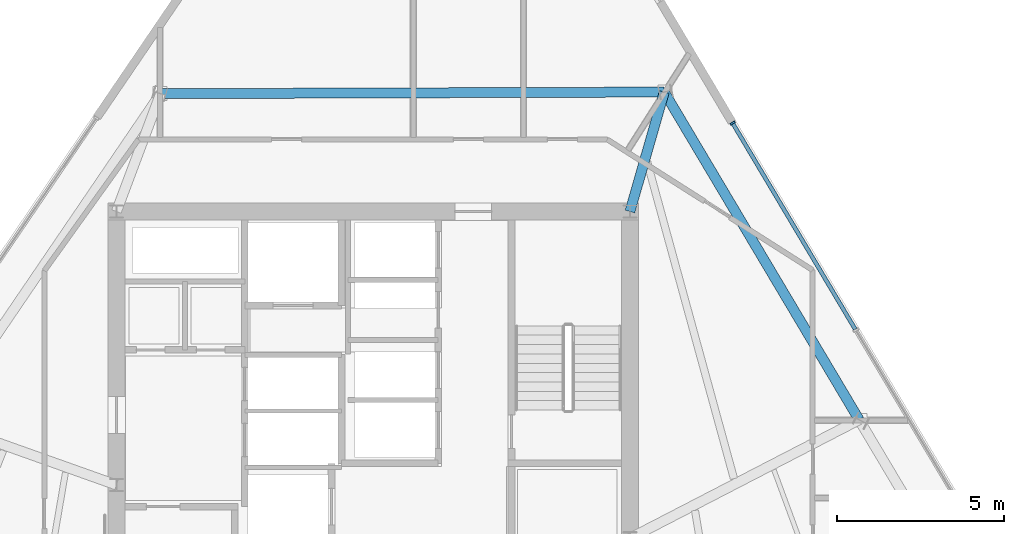
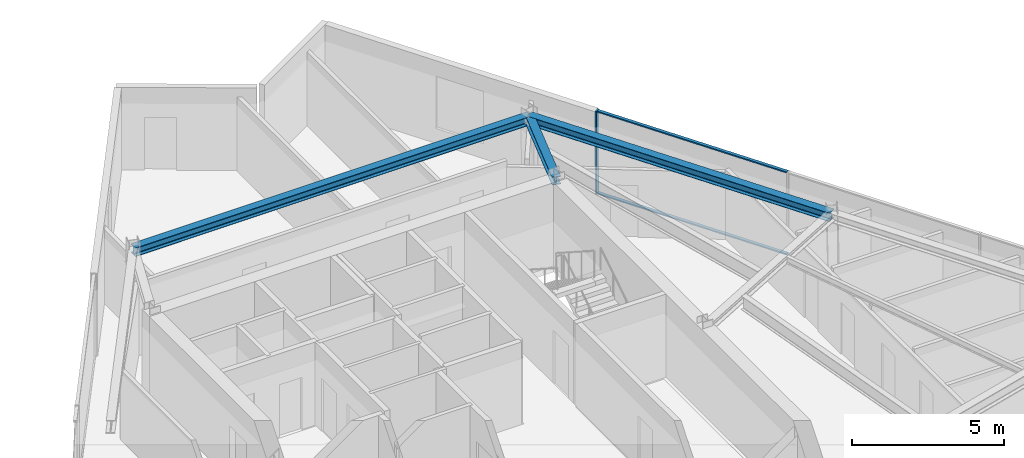
# One storey, part 6 of 15: 3 beams, 3 members, 1 element without a shape of its own.
"""IFC4 building model written with IfcOpenShell, lengths in metres."""

import ifcopenshell
import ifcopenshell.guid

model = None  # the IFC model being written
_history = None  # IfcOwnerHistory: only IFC2X3 demands one
_inside = {}  # id of a spatial element -> (the spatial element, [elements in it])
_under = {}  # id of a project, library or spatial element -> (it, [spatial elements below it])
_declared = {}  # id of a project -> (the project, [libraries it declares])
_typed = {}  # id of a type object -> (the type object, [elements of that type])
_made_of = {}  # id of a material, layer set ... -> (it, [elements and type objects made of it])


def new_model(schema):
    """Start an empty IFC model of exactly this schema.

    Asked for "IFC4X3", IfcOpenShell would pick the latest addendum, in which some entities
    have other attributes; the version numbers below select the first issue.
    IFC2X3 requires an IfcOwnerHistory on every rooted entity: one is made here for all.
    """
    global model, _history
    if schema == "IFC4X3":
        model = ifcopenshell.file(schema_version=(4, 3, 0, 0))
    else:
        model = ifcopenshell.file(schema=schema)
    _inside.clear()
    _under.clear()
    _declared.clear()
    _typed.clear()
    _made_of.clear()
    _history = None
    if model.schema == "IFC2X3":
        org = make("IfcOrganization", Name="unknown")
        user = make(
            "IfcPersonAndOrganization",
            ThePerson=make("IfcPerson", FamilyName="unknown"),
            TheOrganization=org,
        )
        app = make(
            "IfcApplication",
            ApplicationDeveloper=org,
            Version="unknown",
            ApplicationFullName="unknown",
            ApplicationIdentifier="unknown",
        )
        _history = make(
            "IfcOwnerHistory",
            OwningUser=user,
            OwningApplication=app,
            ChangeAction="ADDED",
            CreationDate=0,
        )
    return model


def make(cls, **values):
    """One entity of the class cls with the attributes given. An attribute that is None is left unset."""
    return model.create_entity(
        cls, **{name: value for name, value in values.items() if value is not None}
    )


def rooted(cls, **values):
    """An entity with a GlobalId (a new one), such as an element, a storey or a relation."""
    return make(cls, GlobalId=ifcopenshell.guid.new(), OwnerHistory=_history, **values)


def si_unit(unit_type, name, prefix=None):
    """IfcSIUnit, for example si_unit("LENGTHUNIT", "METRE", prefix="MILLI")."""
    return make("IfcSIUnit", UnitType=unit_type, Prefix=prefix, Name=name)


def assignment(units):
    """IfcUnitAssignment: the units of a project."""
    return None if units is None else make("IfcUnitAssignment", Units=units)


def point(xyz):
    """IfcCartesianPoint."""
    return None if xyz is None else make("IfcCartesianPoint", Coordinates=xyz)


def direction(xyz):
    """IfcDirection."""
    return None if xyz is None else make("IfcDirection", DirectionRatios=xyz)


def frame(location, z_axis=None, x_axis=None):
    """IfcAxis2Placement3D, a coordinate frame: its origin and axes. An axis left out is left unset."""
    return make(
        "IfcAxis2Placement3D",
        Location=point(location),
        Axis=direction(z_axis),
        RefDirection=direction(x_axis),
    )


def frame_2d(location, x_axis=None):
    """IfcAxis2Placement2D, a coordinate frame in the plane: its origin and x axis."""
    return make(
        "IfcAxis2Placement2D", Location=point(location), RefDirection=direction(x_axis)
    )


def origin():
    """The frame at (0, 0, 0) with its axes left unset."""
    return frame((0.0, 0.0, 0.0))


def origin_2d():
    """The frame at (0, 0) in the plane with its x axis left unset."""
    return frame_2d((0.0, 0.0))


def place(relative_to, where):
    """IfcLocalPlacement: puts the frame where relative to a parent placement (None: the world)."""
    return make(
        "IfcLocalPlacement", PlacementRelTo=relative_to, RelativePlacement=where
    )


def context(
    kind, dimensions, precision=None, world=None, true_north=None, identifier=None
):
    """IfcGeometricRepresentationContext, for example the 3D "Model" context."""
    return make(
        "IfcGeometricRepresentationContext",
        ContextIdentifier=identifier,
        ContextType=kind,
        CoordinateSpaceDimension=dimensions,
        Precision=precision,
        WorldCoordinateSystem=world,
        TrueNorth=true_north,
    )


def subcontext(parent, identifier, kind, view, scale=None):
    """IfcGeometricRepresentationSubContext, for example "Body" below "Model"."""
    return make(
        "IfcGeometricRepresentationSubContext",
        ContextIdentifier=identifier,
        ContextType=kind,
        ParentContext=parent,
        TargetScale=scale,
        TargetView=view,
    )


def project(units=None, contexts=None):
    """IfcProject with its units and contexts."""
    return rooted(
        "IfcProject",
        Name="project",
        RepresentationContexts=contexts,
        UnitsInContext=assignment(units),
    )


def spatial(cls, under=None, at=None, **own):
    """A site, building, storey or space (cls), placed at a placement, below another one or the project."""
    s = rooted(cls, ObjectPlacement=at, **own)
    if under is not None:
        _under.setdefault(under.id(), (under, []))[1].append(s)
    return s


def profile(cls, at=None, kind="AREA", **sizes):
    """A parametric profile (cls). Its sizes go by their IFC names, for example OverallWidth=200.0."""
    return make(cls, ProfileType=kind, Position=at, **sizes)


def rectangle(**sizes):
    """IfcRectangleProfileDef."""
    return profile("IfcRectangleProfileDef", **sizes)


def i_section(**sizes):
    """IfcIShapeProfileDef."""
    return profile("IfcIShapeProfileDef", **sizes)


def extrude(swept, where, along, depth):
    """IfcExtrudedAreaSolid: the profile swept, set in the frame where, extruded along a direction by depth."""
    return make(
        "IfcExtrudedAreaSolid",
        SweptArea=swept,
        Position=where,
        ExtrudedDirection=direction(along),
        Depth=depth,
    )


def shape(context_of_items, identifier, shape_type, items):
    """IfcShapeRepresentation: the items that make up one representation, for example the "Body"."""
    return make(
        "IfcShapeRepresentation",
        ContextOfItems=context_of_items,
        RepresentationIdentifier=identifier,
        RepresentationType=shape_type,
        Items=items,
    )


def material(Name=None, Category=None):
    """IfcMaterial."""
    return make("IfcMaterial", Name=Name, Category=Category)


def material_profile(
    of_material, cross_section, Name=None, Category=None, Priority=None
):
    """IfcMaterialProfile: a cross section and its material."""
    return make(
        "IfcMaterialProfile",
        Name=Name,
        Material=of_material,
        Profile=cross_section,
        Priority=Priority,
        Category=Category,
    )


def profile_set(profiles, Name=None, composite=None):
    """IfcMaterialProfileSet."""
    return make(
        "IfcMaterialProfileSet",
        Name=Name,
        MaterialProfiles=profiles,
        CompositeProfile=composite,
    )


def made_of(thing, what):
    """Note that an element or type object is made of a material, layer set ...; save() writes the relation."""
    if what is not None:
        _made_of.setdefault(what.id(), (what, []))[1].append(thing)
    return thing


def type_object(cls, material=None, **own):
    """A type object (cls), such as IfcWallType, which elements share."""
    return made_of(rooted(cls, **own), material)


def element(
    cls,
    number,
    at=None,
    inside=None,
    cuts=None,
    type_object=None,
    material=None,
    context=None,
    identifier="Body",
    shape_type=None,
    held_by="IfcProductDefinitionShape",
    body=None,
    shapes=None,
    **own,
):
    """One element of the class cls, such as IfcWall. Its Tag is "e" and its number.

    at: its placement. inside: the storey or other place that contains it. cuts: it is an
    opening in that element (IfcRelVoidsElement). A single representation is given by context,
    identifier, shape_type and body (its items); several are given by shapes. held_by: the class
    of the entity that holds the representations. save() writes the other relations.
    """
    e = rooted(cls, Tag="e%d" % number, ObjectPlacement=at, **own)
    if body is not None:
        shapes = [shape(context, identifier, shape_type, body)]
    if shapes is not None:
        e.Representation = make(held_by, Representations=shapes)
    if inside is not None:
        _inside.setdefault(inside.id(), (inside, []))[1].append(e)
    if cuts is not None:
        rooted(
            "IfcRelVoidsElement", RelatingBuildingElement=cuts, RelatedOpeningElement=e
        )
    if type_object is not None:
        _typed.setdefault(type_object.id(), (type_object, []))[1].append(e)
    return made_of(e, material)


def aggregate(whole, parts):
    """IfcRelAggregates: a whole, such as a stair, and the parts it consists of."""
    return rooted("IfcRelAggregates", RelatingObject=whole, RelatedObjects=parts)


def save(model, path):
    """Write the relations noted so far, then the file.

    IfcRelAggregates (storeys below a building ...), IfcRelContainedInSpatialStructure (elements
    in a storey), IfcRelDefinesByType, IfcRelAssociatesMaterial and IfcRelDeclares: one each for
    every whole, place, type object, material and project.
    """
    for whole, parts in _under.values():
        aggregate(whole, parts)
    for where, things in _inside.values():
        rooted(
            "IfcRelContainedInSpatialStructure",
            RelatedElements=things,
            RelatingStructure=where,
        )
    for kind, things in _typed.values():
        rooted("IfcRelDefinesByType", RelatedObjects=things, RelatingType=kind)
    for what, things in _made_of.values():
        rooted("IfcRelAssociatesMaterial", RelatedObjects=things, RelatingMaterial=what)
    for by, libraries in _declared.values():
        rooted("IfcRelDeclares", RelatingContext=by, RelatedDefinitions=libraries)
    model.write(path)


model = new_model("IFC4")

# Units and contexts
model_context = context("Model", 3, precision=1e-05, world=origin(), true_north=direction((0.0, 1.0)))
body_context = subcontext(model_context, "Body", "Model", "MODEL_VIEW")
ifc_project = project(units=[si_unit("LENGTHUNIT", "METRE"), si_unit("AREAUNIT", "SQUARE_METRE"), si_unit("VOLUMEUNIT", "CUBIC_METRE"), si_unit("PLANEANGLEUNIT", "RADIAN"), si_unit("MASSUNIT", "GRAM", prefix="KILO")], contexts=[model_context])

# Site, building, storey
site_placement = place(None, origin())
site = spatial("IfcSite", under=ifc_project, at=site_placement, CompositionType="ELEMENT")
building_placement = place(site_placement, origin())
building = spatial("IfcBuilding", under=site, at=building_placement, Name="Savorim Split Tower", CompositionType="ELEMENT")
storey_placement = place(building_placement, frame((0.0, 0.0, 212.699951171875)))
storey = spatial("IfcBuildingStorey", under=building, at=storey_placement, Name="L56", CompositionType="ELEMENT", Elevation=212.699951171875)

# Beams
ifc_material_1 = material(Name="Steel S355", Category="steel")
ifc_material_profile_1 = material_profile(ifc_material_1, i_section(OverallWidth=0.300048828125, OverallDepth=0.320068359375, WebThickness=0.011474609375, FlangeThickness=0.0205078125, FilletRadius=0.027099609375, at=origin_2d()), Name="HEB 320")
ifc_profile_set_1 = profile_set([ifc_material_profile_1], Name="Steel S355")
beam_type_1 = type_object("IfcBeamType", Name="BM-PRI-HEB320", PredefinedType="BEAM", material=ifc_profile_set_1)
beam_1_placement = place(storey_placement, frame((8.72998046875, 13.783203125, 3.18994140625), z_axis=(-0.276268866877, -0.961080388518, 0.0), x_axis=(0.961080388518, -0.276268866877, 0.0)))
element("IfcBeam", 1, at=beam_1_placement, inside=storey, type_object=beam_type_1, Name="L56 Primary Floor Girder RG-07", PredefinedType="BEAM", context=body_context, shape_type="SweptSolid", body=[
    extrude(i_section(OverallWidth=0.300048828125, OverallDepth=0.320068359375, WebThickness=0.011474609375, FlangeThickness=0.0205078125, FilletRadius=0.027099609375, at=origin_2d()), origin(), (0.0, 0.0, 1.0), 3.728271484375),
])
ifc_material_profile_2 = material_profile(ifc_material_1, i_section(OverallWidth=0.300048828125, OverallDepth=0.35009765625, WebThickness=0.010009765625, FlangeThickness=0.017578125, FilletRadius=0.027099609375, at=origin_2d()), Name="HEA 360")
ifc_profile_set_2 = profile_set([ifc_material_profile_2], Name="Steel S355")
beam_type_2 = type_object("IfcBeamType", Name="BM-SPN-HEA360", PredefinedType="SPANDREL", material=ifc_profile_set_2)
beam_2_placement = place(storey_placement, frame((14.57421875, 3.95458984375, 3.175048828125), z_axis=(-0.511088182379, 0.859528283323, 0.0), x_axis=(-0.859528283323, -0.511088182379, 0.0)))
element("IfcBeam", 2, at=beam_2_placement, inside=storey, type_object=beam_type_2, Name="L56 Perimeter Spandrel Beam 6", PredefinedType="SPANDREL", context=body_context, shape_type="SweptSolid", body=[
    extrude(i_section(OverallWidth=0.300048828125, OverallDepth=0.35009765625, WebThickness=0.010009765625, FlangeThickness=0.017578125, FilletRadius=0.027099609375, at=origin_2d()), origin(), (0.0, 0.0, 1.0), 11.434814453125),
])
beam_3_placement = place(storey_placement, frame((8.72998046875, 13.783203125, 3.175048828125), z_axis=(-0.999994827691, -0.003216300923, 0.0), x_axis=(0.003216300923, -0.999994827691, 0.0)))
element("IfcBeam", 3, at=beam_3_placement, inside=storey, type_object=beam_type_2, Name="L56 Perimeter Spandrel Beam 7", PredefinedType="SPANDREL", context=body_context, shape_type="SweptSolid", body=[
    extrude(i_section(OverallWidth=0.300048828125, OverallDepth=0.35009765625, WebThickness=0.010009765625, FlangeThickness=0.017578125, FilletRadius=0.027099609375, at=origin_2d()), origin(), (0.0, 0.0, 1.0), 15.10546875),
])

# Curtain wall, members
ifc_material_2 = material(Name="Dark Ceramic-Fritted Insulated Glass", Category="glass")
curtain_wall_type = type_object("IfcCurtainWallType", Name="CW-TWR-FRIT-B", PredefinedType="NOTDEFINED", material=ifc_material_2)
curtain_wall_placement = place(storey_placement, origin())
curtain_wall = element("IfcCurtainWall", 4, at=curtain_wall_placement, inside=storey, type_object=curtain_wall_type, Name="L56 Curtain Wall CW-L56-EAST", PredefinedType="NOTDEFINED")
ifc_material_3 = material(Name="Charcoal Anodised Aluminium", Category="aluminium")
ifc_material_profile_3 = material_profile(ifc_material_3, rectangle(XDim=0.159912109375, YDim=0.06005859375, at=origin_2d()), Name="ALU-M 160x60")
ifc_profile_set_3 = profile_set([ifc_material_profile_3], Name="Charcoal Anodised Aluminium")
member_type_1 = type_object("IfcMemberType", Name="CWM-160x60", PredefinedType="MULLION", material=ifc_profile_set_3)
member_1_placement = place(storey_placement, frame((10.779296875, 12.853759765625, 0.0), z_axis=(0.0, 0.0, 1.0), x_axis=(-0.859525909056, -0.511092175308, 0.0)))
member_1 = element("IfcMember", 5, at=member_1_placement, type_object=member_type_1, Name="CW-03 mullion 5", PredefinedType="MULLION", context=body_context, shape_type="SweptSolid", body=[
    extrude(rectangle(XDim=0.159912109375, YDim=0.06005859375, at=origin_2d()), origin(), (0.0, 0.0, 1.0), 3.35009765625),
])
ifc_material_profile_4 = material_profile(ifc_material_3, rectangle(XDim=0.1201171875, YDim=0.050048828125, at=origin_2d()), Name="ALU-T 120x50")
ifc_profile_set_4 = profile_set([ifc_material_profile_4], Name="Charcoal Anodised Aluminium")
member_type_2 = type_object("IfcMemberType", Name="CWT-120x50", PredefinedType="USERDEFINED", material=ifc_profile_set_4)
member_2_placement = place(storey_placement, frame((14.4580078125, 6.667236328125, 0.025146484375), z_axis=(-0.511085594604, 0.859529822047, 0.0), x_axis=(-0.859529822047, -0.511085594604, 0.0)))
member_2 = element("IfcMember", 6, at=member_2_placement, type_object=member_type_2, Name="CW-03 transom 4.1", ObjectType="TRANSOM", PredefinedType="USERDEFINED", context=body_context, shape_type="SweptSolid", body=[
    extrude(rectangle(XDim=0.1201171875, YDim=0.050048828125, at=origin_2d()), origin(), (0.0, 0.0, 1.0), 7.167724609375),
])
member_3_placement = place(storey_placement, frame((14.4580078125, 6.667236328125, 3.324951171875), z_axis=(-0.511085594604, 0.859529822047, 0.0), x_axis=(-0.859529822047, -0.511085594604, 0.0)))
member_3 = element("IfcMember", 7, at=member_3_placement, type_object=member_type_2, Name="CW-03 transom 4.2", ObjectType="TRANSOM", PredefinedType="USERDEFINED", context=body_context, shape_type="SweptSolid", body=[
    extrude(rectangle(XDim=0.1201171875, YDim=0.050048828125, at=origin_2d()), origin(), (0.0, 0.0, 1.0), 7.167724609375),
])
aggregate(curtain_wall, [member_1, member_2, member_3])

save(model, "model.ifc")
